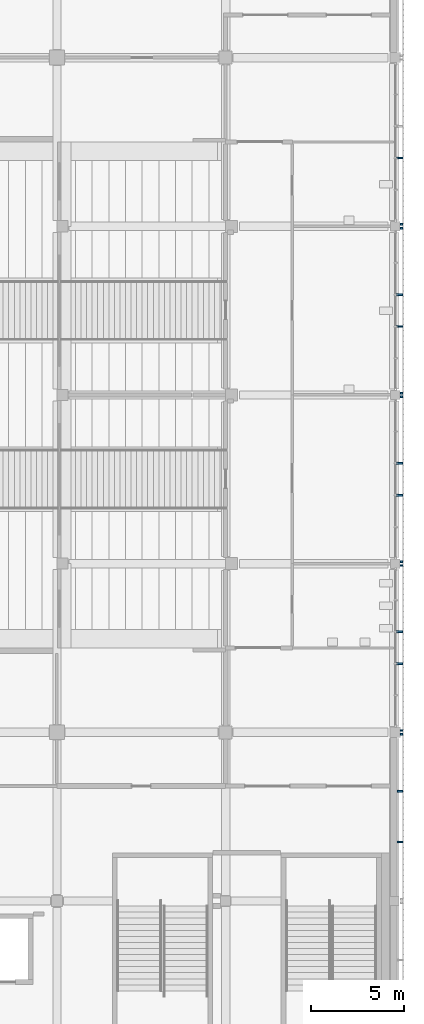
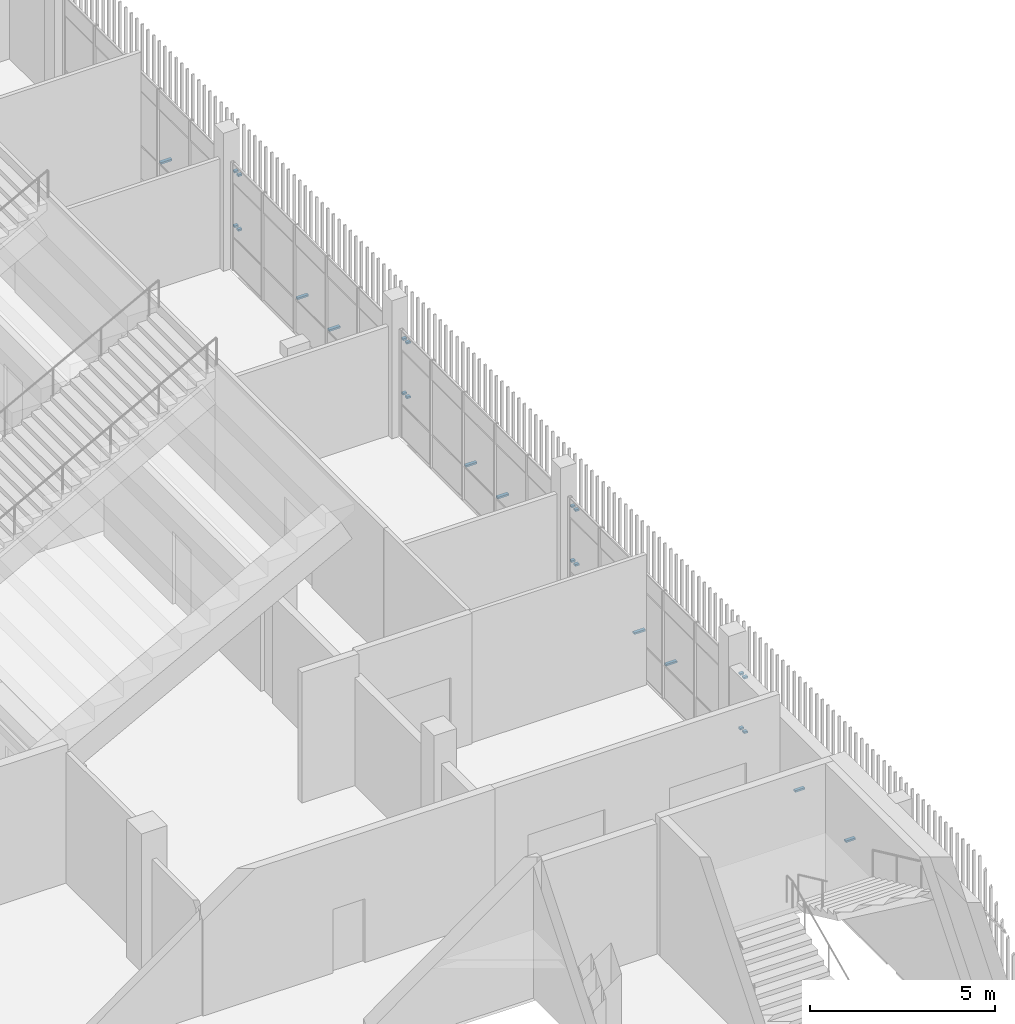
# One storey, part 110 of 139: 25 discrete accessories.
"""IFC4 building model written with IfcOpenShell, lengths in metres."""

from ifc_helpers import new_model, si_unit, direction, frame, origin, origin_2d, place, context, subcontext, project, spatial, rectangle, extrude, material, type_object, element, save


model = new_model("IFC4")

# Units and contexts
model_context = context("Model", 3, precision=1e-05, world=origin(), true_north=direction((0.0, 1.0)))
body_context = subcontext(model_context, "Body", "Model", "MODEL_VIEW")
ifc_project = project(units=[si_unit("LENGTHUNIT", "METRE"), si_unit("AREAUNIT", "SQUARE_METRE"), si_unit("VOLUMEUNIT", "CUBIC_METRE"), si_unit("PLANEANGLEUNIT", "RADIAN"), si_unit("MASSUNIT", "GRAM", prefix="KILO")], contexts=[model_context])

# Site, building, storey
site_placement = place(None, origin())
site = spatial("IfcSite", under=ifc_project, at=site_placement, CompositionType="ELEMENT")
building_placement = place(site_placement, origin())
building = spatial("IfcBuilding", under=site, at=building_placement, Name="Shirokan Park Arena", CompositionType="ELEMENT")
storey_placement = place(building_placement, frame((0.0, 0.0, 15.469970703125)))
storey = spatial("IfcBuildingStorey", under=building, at=storey_placement, Name="L03", CompositionType="ELEMENT", Elevation=15.469970703125)

# Discrete accessories
ifc_material = material(Name="Steel S355", Category="steel")
discrete_accessory_type = type_object("IfcDiscreteAccessoryType", Name="Veil bracket 100x60", PredefinedType="BRACKET", material=ifc_material)
for number, where, z_axis, x_axis, name in (
    (1, (145.985107421875, 36.300048828125, 1.070068359375), (0.0, 0.0, 1.0), (0.0, 1.0, 0.0), "Veil bracket east bay 4 L03 2"),
    (2, (145.985107421875, 36.300048828125, 2.8701171875), (0.0, 0.0, 1.0), (0.0, 1.0, 0.0), "Veil bracket east bay 4 L03 4"),
):
    element("IfcDiscreteAccessory", number, at=place(storey_placement, frame(where, z_axis=z_axis, x_axis=x_axis)), inside=storey, type_object=discrete_accessory_type, Name=name, PredefinedType="BRACKET", context=body_context, shape_type="SweptSolid", body=[
        extrude(rectangle(XDim=0.10009765625, YDim=0.1201171875, at=origin_2d()), origin(), (0.0, 0.0, 1.0), 0.06005859375),
    ])
for number, where, z_axis, x_axis, name in (
    (3, (145.8974609375, 30.485107421875, 1.070068359375), (0.0, 0.0, 1.0), (0.0, 1.0, 0.0), "Veil bracket east bay 4 L03 wall 1"),
    (4, (145.8974609375, 33.215087890625, 1.070068359375), (0.0, 0.0, 1.0), (0.0, 1.0, 0.0), "Veil bracket east bay 4 L03 wall 2"),
):
    element("IfcDiscreteAccessory", number, at=place(storey_placement, frame(where, z_axis=z_axis, x_axis=x_axis)), inside=storey, type_object=discrete_accessory_type, Name=name, PredefinedType="BRACKET", context=body_context, shape_type="SweptSolid", body=[
        extrude(rectangle(XDim=0.10009765625, YDim=0.294921875, at=origin_2d()), origin(), (0.0, 0.0, 1.0), 0.06005859375),
    ])
for number, where, z_axis, x_axis, name in (
    (5, (145.985107421875, 36.5, 1.070068359375), (0.0, 0.0, 1.0), (0.0, 1.0, 0.0), "Veil bracket east bay 5 L03 1"),
    (6, (145.985107421875, 45.39990234375, 1.070068359375), (0.0, 0.0, 1.0), (0.0, 1.0, 0.0), "Veil bracket east bay 5 L03 2"),
    (7, (145.985107421875, 36.5, 2.8701171875), (0.0, 0.0, 1.0), (0.0, 1.0, 0.0), "Veil bracket east bay 5 L03 3"),
    (8, (145.985107421875, 45.39990234375, 2.8701171875), (0.0, 0.0, 1.0), (0.0, 1.0, 0.0), "Veil bracket east bay 5 L03 4"),
):
    element("IfcDiscreteAccessory", number, at=place(storey_placement, frame(where, z_axis=z_axis, x_axis=x_axis)), inside=storey, type_object=discrete_accessory_type, Name=name, PredefinedType="BRACKET", context=body_context, shape_type="SweptSolid", body=[
        extrude(rectangle(XDim=0.10009765625, YDim=0.1201171875, at=origin_2d()), origin(), (0.0, 0.0, 1.0), 0.06005859375),
    ])
for number, where, z_axis, x_axis, name in (
    (9, (145.87255859375, 40.10498046875, 1.070068359375), (0.0, 0.0, 1.0), (0.0, 1.0, 0.0), "Veil bracket east bay 5 L03 wall 1"),
    (10, (145.87255859375, 41.820068359375, 1.070068359375), (0.0, 0.0, 1.0), (0.0, 1.0, 0.0), "Veil bracket east bay 5 L03 wall 2"),
):
    element("IfcDiscreteAccessory", number, at=place(storey_placement, frame(where, z_axis=z_axis, x_axis=x_axis)), inside=storey, type_object=discrete_accessory_type, Name=name, PredefinedType="BRACKET", context=body_context, shape_type="SweptSolid", body=[
        extrude(rectangle(XDim=0.10009765625, YDim=0.344970703125, at=origin_2d()), origin(), (0.0, 0.0, 1.0), 0.06005859375),
    ])
for number, where, z_axis, x_axis, name in (
    (11, (145.985107421875, 45.60009765625, 1.070068359375), (0.0, 0.0, 1.0), (0.0, 1.0, 0.0), "Veil bracket east bay 6 L03 1"),
    (12, (145.985107421875, 54.5, 1.070068359375), (0.0, 0.0, 1.0), (0.0, 1.0, 0.0), "Veil bracket east bay 6 L03 2"),
    (13, (145.985107421875, 45.60009765625, 2.8701171875), (0.0, 0.0, 1.0), (0.0, 1.0, 0.0), "Veil bracket east bay 6 L03 3"),
    (14, (145.985107421875, 54.5, 2.8701171875), (0.0, 0.0, 1.0), (0.0, 1.0, 0.0), "Veil bracket east bay 6 L03 4"),
):
    element("IfcDiscreteAccessory", number, at=place(storey_placement, frame(where, z_axis=z_axis, x_axis=x_axis)), inside=storey, type_object=discrete_accessory_type, Name=name, PredefinedType="BRACKET", context=body_context, shape_type="SweptSolid", body=[
        extrude(rectangle(XDim=0.10009765625, YDim=0.1201171875, at=origin_2d()), origin(), (0.0, 0.0, 1.0), 0.06005859375),
    ])
for number, where, z_axis, x_axis, name in (
    (15, (145.87255859375, 49.18994140625, 1.070068359375), (0.0, 0.0, 1.0), (0.0, 1.0, 0.0), "Veil bracket east bay 6 L03 wall 1"),
    (16, (145.87255859375, 50.909912109375, 1.070068359375), (0.0, 0.0, 1.0), (0.0, 1.0, 0.0), "Veil bracket east bay 6 L03 wall 2"),
):
    element("IfcDiscreteAccessory", number, at=place(storey_placement, frame(where, z_axis=z_axis, x_axis=x_axis)), inside=storey, type_object=discrete_accessory_type, Name=name, PredefinedType="BRACKET", context=body_context, shape_type="SweptSolid", body=[
        extrude(rectangle(XDim=0.10009765625, YDim=0.344970703125, at=origin_2d()), origin(), (0.0, 0.0, 1.0), 0.06005859375),
    ])
for number, where, z_axis, x_axis, name in (
    (17, (145.985107421875, 54.699951171875, 1.070068359375), (0.0, 0.0, 1.0), (0.0, 1.0, 0.0), "Veil bracket east bay 7 L03 1"),
    (18, (145.985107421875, 63.60009765625, 1.070068359375), (0.0, 0.0, 1.0), (0.0, 1.0, 0.0), "Veil bracket east bay 7 L03 2"),
    (19, (145.985107421875, 54.699951171875, 2.8701171875), (0.0, 0.0, 1.0), (0.0, 1.0, 0.0), "Veil bracket east bay 7 L03 3"),
    (20, (145.985107421875, 63.60009765625, 2.8701171875), (0.0, 0.0, 1.0), (0.0, 1.0, 0.0), "Veil bracket east bay 7 L03 4"),
):
    element("IfcDiscreteAccessory", number, at=place(storey_placement, frame(where, z_axis=z_axis, x_axis=x_axis)), inside=storey, type_object=discrete_accessory_type, Name=name, PredefinedType="BRACKET", context=body_context, shape_type="SweptSolid", body=[
        extrude(rectangle(XDim=0.10009765625, YDim=0.1201171875, at=origin_2d()), origin(), (0.0, 0.0, 1.0), 0.06005859375),
    ])
for number, where, z_axis, x_axis, name in (
    (21, (145.87255859375, 58.2900390625, 1.070068359375), (0.0, 0.0, 1.0), (0.0, 1.0, 0.0), "Veil bracket east bay 7 L03 wall 1"),
    (22, (145.87255859375, 60.010009765625, 1.070068359375), (0.0, 0.0, 1.0), (0.0, 1.0, 0.0), "Veil bracket east bay 7 L03 wall 2"),
):
    element("IfcDiscreteAccessory", number, at=place(storey_placement, frame(where, z_axis=z_axis, x_axis=x_axis)), inside=storey, type_object=discrete_accessory_type, Name=name, PredefinedType="BRACKET", context=body_context, shape_type="SweptSolid", body=[
        extrude(rectangle(XDim=0.10009765625, YDim=0.344970703125, at=origin_2d()), origin(), (0.0, 0.0, 1.0), 0.06005859375),
    ])
for number, where, z_axis, x_axis, name in (
    (23, (145.985107421875, 63.800048828125, 1.070068359375), (0.0, 0.0, 1.0), (0.0, 1.0, 0.0), "Veil bracket east bay 8 L03 1"),
    (24, (145.985107421875, 63.800048828125, 2.8701171875), (0.0, 0.0, 1.0), (0.0, 1.0, 0.0), "Veil bracket east bay 8 L03 3"),
):
    element("IfcDiscreteAccessory", number, at=place(storey_placement, frame(where, z_axis=z_axis, x_axis=x_axis)), inside=storey, type_object=discrete_accessory_type, Name=name, PredefinedType="BRACKET", context=body_context, shape_type="SweptSolid", body=[
        extrude(rectangle(XDim=0.10009765625, YDim=0.1201171875, at=origin_2d()), origin(), (0.0, 0.0, 1.0), 0.06005859375),
    ])
discrete_accessory_placement = place(storey_placement, frame((145.87255859375, 67.3798828125, 1.070068359375), z_axis=(0.0, 0.0, 1.0), x_axis=(0.0, 1.0, 0.0)))
element("IfcDiscreteAccessory", 25, at=discrete_accessory_placement, inside=storey, type_object=discrete_accessory_type, Name="Veil bracket east bay 8 L03 wall 1", PredefinedType="BRACKET", context=body_context, shape_type="SweptSolid", body=[
    extrude(rectangle(XDim=0.10009765625, YDim=0.344970703125, at=origin_2d()), origin(), (0.0, 0.0, 1.0), 0.06005859375),
])

save(model, "model.ifc")
